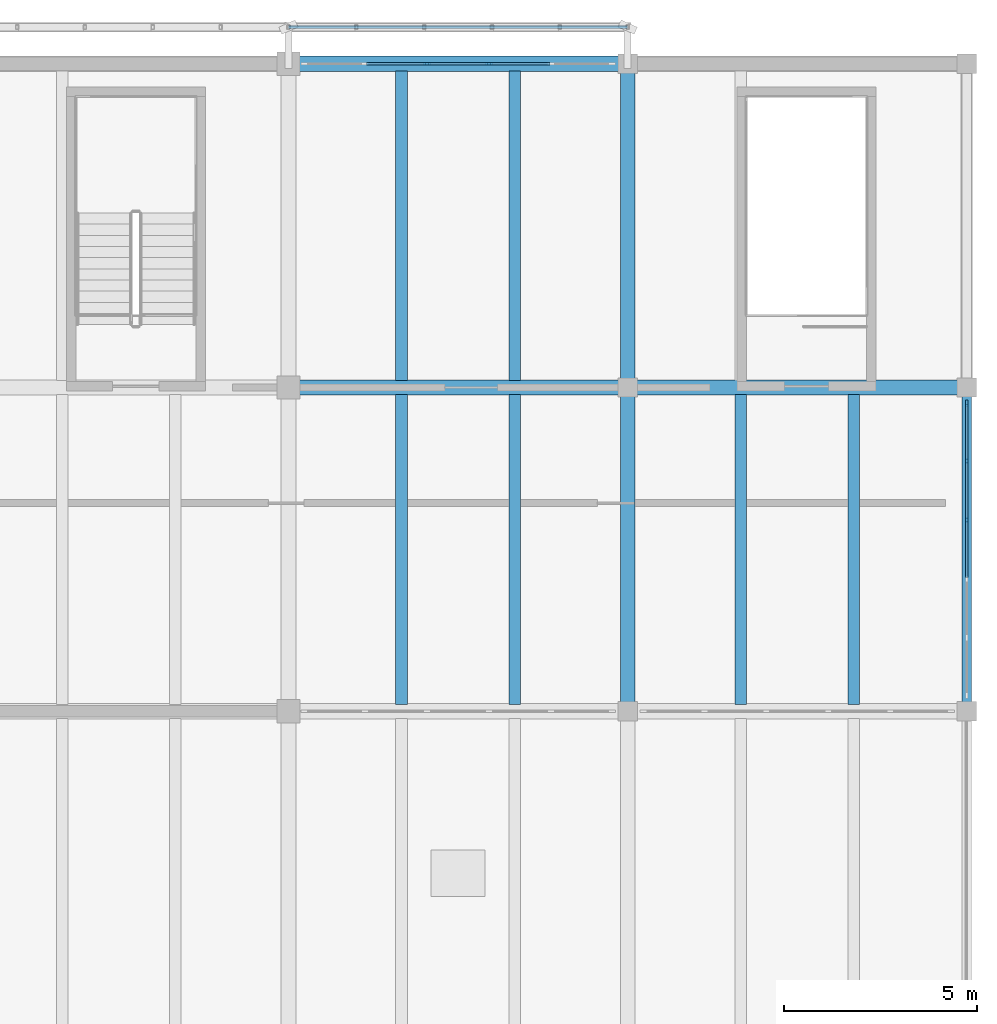
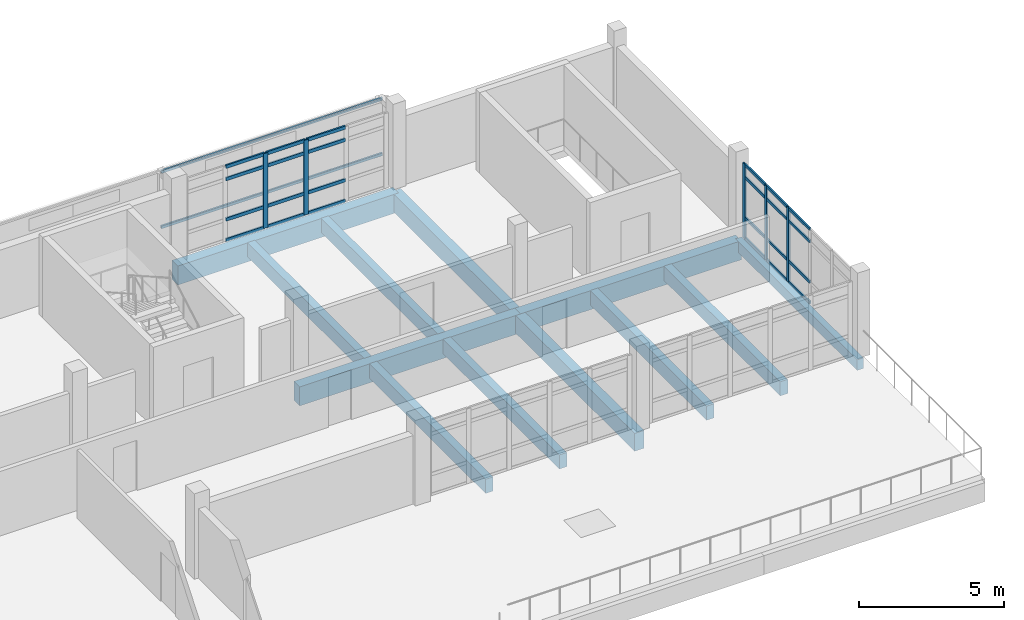
# One storey, part 34 of 50: 31 members, 12 beams, 2 elements without a shape of their own.
"""IFC4 building model written with IfcOpenShell, lengths in metres."""

from ifc_helpers import new_model, si_unit, direction, frame, origin, origin_2d, place, context, subcontext, project, spatial, rectangle, hollow_rectangle, extrude, material, material_profile, profile_set, type_object, element, aggregate, save


model = new_model("IFC4")

# Units and contexts
model_context = context("Model", 3, precision=1e-05, world=origin(), true_north=direction((0.0, 1.0)))
body_context = subcontext(model_context, "Body", "Model", "MODEL_VIEW")
ifc_project = project(units=[si_unit("LENGTHUNIT", "METRE"), si_unit("AREAUNIT", "SQUARE_METRE"), si_unit("VOLUMEUNIT", "CUBIC_METRE"), si_unit("PLANEANGLEUNIT", "RADIAN"), si_unit("MASSUNIT", "GRAM", prefix="KILO")], contexts=[model_context])

# Site, building, storey
site_placement = place(None, origin())
site = spatial("IfcSite", under=ifc_project, at=site_placement, CompositionType="ELEMENT")
building_placement = place(site_placement, origin())
building = spatial("IfcBuilding", under=site, at=building_placement, Name="Cinderway Yard Community Centre", CompositionType="ELEMENT")
storey_placement = place(building_placement, frame((0.0, 0.0, 12.89990234375)))
storey = spatial("IfcBuildingStorey", under=building, at=storey_placement, Name="L03", CompositionType="ELEMENT", Elevation=12.89990234375)

# Curtain wall, members
ifc_material_1 = material(Name="Aluminium 6063-T6", Category="aluminium")
curtain_wall_type_1 = type_object("IfcCurtainWallType", Name="ENV-CW-TYPE-32", PredefinedType="USERDEFINED", material=ifc_material_1)
curtain_wall_1_placement = place(storey_placement, origin())
curtain_wall_1 = element("IfcCurtainWall", 1, at=curtain_wall_1_placement, inside=storey, type_object=curtain_wall_type_1, Name="V4 East End Curtain Wall ENV-CW-L03-ST-0175", ObjectType="GLAZED CURTAIN WALL", PredefinedType="USERDEFINED")
ifc_material_profile_1 = material_profile(ifc_material_1, rectangle(XDim=0.06005859375, YDim=0.159912109375, at=origin_2d()), Name="Aluminium 6063-T6")
ifc_profile_set_1 = profile_set([ifc_material_profile_1], Name="Aluminium 6063-T6")
member_type_1 = type_object("IfcMemberType", Name="ENV-CW-MULL-150", PredefinedType="MULLION", material=ifc_profile_set_1)
member_1_placement = place(storey_placement, frame((136.800048828125, 103.364013671875, 0.0), z_axis=(0.0, 0.0, 1.0), x_axis=(-1.0, 0.0, 0.0)))
member_1 = element("IfcMember", 2, at=member_1_placement, type_object=member_type_1, Name="CW-32 mullion 4", PredefinedType="MULLION", context=body_context, shape_type="SweptSolid", body=[
    extrude(rectangle(XDim=0.06005859375, YDim=0.159912109375, at=origin_2d()), origin(), (0.0, 0.0, 1.0), 3.150146484375),
])
member_2_placement = place(storey_placement, frame((136.800048828125, 104.89208984375, 0.0), z_axis=(0.0, 0.0, 1.0), x_axis=(-1.0, 0.0, 0.0)))
member_2 = element("IfcMember", 3, at=member_2_placement, type_object=member_type_1, Name="CW-32 mullion 5", PredefinedType="MULLION", context=body_context, shape_type="SweptSolid", body=[
    extrude(rectangle(XDim=0.06005859375, YDim=0.159912109375, at=origin_2d()), origin(), (0.0, 0.0, 1.0), 3.150146484375),
])
member_3_placement = place(storey_placement, frame((136.800048828125, 106.389892578125, 0.0), z_axis=(0.0, 0.0, 1.0), x_axis=(-1.0, 0.0, 0.0)))
member_3 = element("IfcMember", 4, at=member_3_placement, type_object=member_type_1, Name="CW-32 mullion 6", PredefinedType="MULLION", context=body_context, shape_type="SweptSolid", body=[
    extrude(rectangle(XDim=0.06005859375, YDim=0.159912109375, at=origin_2d()), origin(), (0.0, 0.0, 1.0), 3.150146484375),
])

curtain_wall_type_2 = type_object("IfcCurtainWallType", Name="ENV-CW-TYPE-33", PredefinedType="USERDEFINED", material=ifc_material_1)
curtain_wall_2_placement = place(storey_placement, origin())
curtain_wall_2 = element("IfcCurtainWall", 5, at=curtain_wall_2_placement, inside=storey, type_object=curtain_wall_type_2, Name="V4 Street Curtain Wall ENV-CW-L03-HS-0171", ObjectType="GLAZED CURTAIN WALL", PredefinedType="USERDEFINED")
ifc_material_profile_2 = material_profile(ifc_material_1, rectangle(XDim=0.06494140625, YDim=0.179931640625, at=origin_2d()), Name="Aluminium 6063-T6")
ifc_profile_set_2 = profile_set([ifc_material_profile_2], Name="Aluminium 6063-T6")
member_type_2 = type_object("IfcMemberType", Name="ENV-CW-MULL-180", PredefinedType="MULLION", material=ifc_profile_set_2)
member_4_placement = place(storey_placement, frame((122.7958984375, 115.199951171875, 0.0), z_axis=(0.0, 0.0, 1.0), x_axis=(0.0, 1.0, 0.0)))
member_4 = element("IfcMember", 6, at=member_4_placement, type_object=member_type_2, Name="CW-33 mullion 3", PredefinedType="MULLION", context=body_context, shape_type="SweptSolid", body=[
    extrude(rectangle(XDim=0.06494140625, YDim=0.179931640625, at=origin_2d()), origin(), (0.0, 0.0, 1.0), 3.150146484375),
])
member_5_placement = place(storey_placement, frame((124.404052734375, 115.199951171875, 0.0), z_axis=(0.0, 0.0, 1.0), x_axis=(0.0, 1.0, 0.0)))
member_5 = element("IfcMember", 7, at=member_5_placement, type_object=member_type_2, Name="CW-33 mullion 4", PredefinedType="MULLION", context=body_context, shape_type="SweptSolid", body=[
    extrude(rectangle(XDim=0.06494140625, YDim=0.179931640625, at=origin_2d()), origin(), (0.0, 0.0, 1.0), 3.150146484375),
])

# Member
ifc_material_profile_3 = material_profile(ifc_material_1, rectangle(XDim=0.06005859375, YDim=0.1201171875, at=origin_2d()), Name="Aluminium 6063-T6")
ifc_profile_set_3 = profile_set([ifc_material_profile_3], Name="Aluminium 6063-T6")
member_type_3 = type_object("IfcMemberType", Name="ENV-CW-TRAN-110", PredefinedType="USERDEFINED", material=ifc_profile_set_3)
member_6_placement = place(storey_placement, frame((136.800048828125, 101.865966796875, 0.030029296875), z_axis=(0.0, 1.0, 0.0), x_axis=(-1.0, 0.0, 0.0)))
member_6 = element("IfcMember", 8, at=member_6_placement, type_object=member_type_3, Name="CW-32 transom 3.1", ObjectType="TRANSOM", PredefinedType="USERDEFINED", context=body_context, shape_type="SweptSolid", body=[
    extrude(rectangle(XDim=0.06005859375, YDim=0.1201171875, at=origin_2d()), origin(), (0.0, 0.0, 1.0), 1.468017578125),
])

member_7_placement = place(storey_placement, frame((136.800048828125, 101.865966796875, 0.900146484375), z_axis=(0.0, 1.0, 0.0), x_axis=(-1.0, 0.0, 0.0)))
member_7 = element("IfcMember", 9, at=member_7_placement, type_object=member_type_3, Name="CW-32 transom 3.2", ObjectType="TRANSOM", PredefinedType="USERDEFINED", context=body_context, shape_type="SweptSolid", body=[
    extrude(rectangle(XDim=0.06005859375, YDim=0.1201171875, at=origin_2d()), origin(), (0.0, 0.0, 1.0), 1.468017578125),
])

member_8_placement = place(storey_placement, frame((136.800048828125, 101.865966796875, 2.60009765625), z_axis=(0.0, 1.0, 0.0), x_axis=(-1.0, 0.0, 0.0)))
member_8 = element("IfcMember", 10, at=member_8_placement, type_object=member_type_3, Name="CW-32 transom 3.3", ObjectType="TRANSOM", PredefinedType="USERDEFINED", context=body_context, shape_type="SweptSolid", body=[
    extrude(rectangle(XDim=0.06005859375, YDim=0.1201171875, at=origin_2d()), origin(), (0.0, 0.0, 1.0), 1.468017578125),
])

member_9_placement = place(storey_placement, frame((136.800048828125, 101.865966796875, 3.1201171875), z_axis=(0.0, 1.0, 0.0), x_axis=(-1.0, 0.0, 0.0)))
member_9 = element("IfcMember", 11, at=member_9_placement, type_object=member_type_3, Name="CW-32 transom 3.4", ObjectType="TRANSOM", PredefinedType="USERDEFINED", context=body_context, shape_type="SweptSolid", body=[
    extrude(rectangle(XDim=0.06005859375, YDim=0.1201171875, at=origin_2d()), origin(), (0.0, 0.0, 1.0), 1.468017578125),
])

member_10_placement = place(storey_placement, frame((136.800048828125, 103.39404296875, 0.030029296875), z_axis=(0.0, 1.0, 0.0), x_axis=(-1.0, 0.0, 0.0)))
member_10 = element("IfcMember", 12, at=member_10_placement, type_object=member_type_3, Name="CW-32 transom 4.1", ObjectType="TRANSOM", PredefinedType="USERDEFINED", context=body_context, shape_type="SweptSolid", body=[
    extrude(rectangle(XDim=0.06005859375, YDim=0.1201171875, at=origin_2d()), origin(), (0.0, 0.0, 1.0), 1.468017578125),
])

member_11_placement = place(storey_placement, frame((136.800048828125, 103.39404296875, 0.900146484375), z_axis=(0.0, 1.0, 0.0), x_axis=(-1.0, 0.0, 0.0)))
member_11 = element("IfcMember", 13, at=member_11_placement, type_object=member_type_3, Name="CW-32 transom 4.2", ObjectType="TRANSOM", PredefinedType="USERDEFINED", context=body_context, shape_type="SweptSolid", body=[
    extrude(rectangle(XDim=0.06005859375, YDim=0.1201171875, at=origin_2d()), origin(), (0.0, 0.0, 1.0), 1.468017578125),
])

member_12_placement = place(storey_placement, frame((136.800048828125, 103.39404296875, 2.60009765625), z_axis=(0.0, 1.0, 0.0), x_axis=(-1.0, 0.0, 0.0)))
member_12 = element("IfcMember", 14, at=member_12_placement, type_object=member_type_3, Name="CW-32 transom 4.3", ObjectType="TRANSOM", PredefinedType="USERDEFINED", context=body_context, shape_type="SweptSolid", body=[
    extrude(rectangle(XDim=0.06005859375, YDim=0.1201171875, at=origin_2d()), origin(), (0.0, 0.0, 1.0), 1.468017578125),
])

member_13_placement = place(storey_placement, frame((136.800048828125, 103.39404296875, 3.1201171875), z_axis=(0.0, 1.0, 0.0), x_axis=(-1.0, 0.0, 0.0)))
member_13 = element("IfcMember", 15, at=member_13_placement, type_object=member_type_3, Name="CW-32 transom 4.4", ObjectType="TRANSOM", PredefinedType="USERDEFINED", context=body_context, shape_type="SweptSolid", body=[
    extrude(rectangle(XDim=0.06005859375, YDim=0.1201171875, at=origin_2d()), origin(), (0.0, 0.0, 1.0), 1.468017578125),
])

member_14_placement = place(storey_placement, frame((136.800048828125, 104.922119140625, 0.030029296875), z_axis=(0.0, 1.0, 0.0), x_axis=(-1.0, 0.0, 0.0)))
member_14 = element("IfcMember", 16, at=member_14_placement, type_object=member_type_3, Name="CW-32 transom 5.1", ObjectType="TRANSOM", PredefinedType="USERDEFINED", context=body_context, shape_type="SweptSolid", body=[
    extrude(rectangle(XDim=0.06005859375, YDim=0.1201171875, at=origin_2d()), origin(), (0.0, 0.0, 1.0), 1.43798828125),
])

member_15_placement = place(storey_placement, frame((136.800048828125, 104.922119140625, 0.900146484375), z_axis=(0.0, 1.0, 0.0), x_axis=(-1.0, 0.0, 0.0)))
member_15 = element("IfcMember", 17, at=member_15_placement, type_object=member_type_3, Name="CW-32 transom 5.2", ObjectType="TRANSOM", PredefinedType="USERDEFINED", context=body_context, shape_type="SweptSolid", body=[
    extrude(rectangle(XDim=0.06005859375, YDim=0.1201171875, at=origin_2d()), origin(), (0.0, 0.0, 1.0), 1.43798828125),
])

member_16_placement = place(storey_placement, frame((136.800048828125, 104.922119140625, 2.60009765625), z_axis=(0.0, 1.0, 0.0), x_axis=(-1.0, 0.0, 0.0)))
member_16 = element("IfcMember", 18, at=member_16_placement, type_object=member_type_3, Name="CW-32 transom 5.3", ObjectType="TRANSOM", PredefinedType="USERDEFINED", context=body_context, shape_type="SweptSolid", body=[
    extrude(rectangle(XDim=0.06005859375, YDim=0.1201171875, at=origin_2d()), origin(), (0.0, 0.0, 1.0), 1.43798828125),
])

member_17_placement = place(storey_placement, frame((136.800048828125, 104.922119140625, 3.1201171875), z_axis=(0.0, 1.0, 0.0), x_axis=(-1.0, 0.0, 0.0)))
member_17 = element("IfcMember", 19, at=member_17_placement, type_object=member_type_3, Name="CW-32 transom 5.4", ObjectType="TRANSOM", PredefinedType="USERDEFINED", context=body_context, shape_type="SweptSolid", body=[
    extrude(rectangle(XDim=0.06005859375, YDim=0.1201171875, at=origin_2d()), origin(), (0.0, 0.0, 1.0), 1.43798828125),
])

aggregate(curtain_wall_1, [member_1, member_2, member_3, member_6, member_7, member_8, member_9, member_10, member_11, member_12, member_13, member_14, member_15, member_16, member_17])

ifc_material_profile_4 = material_profile(ifc_material_1, rectangle(XDim=0.06494140625, YDim=0.139892578125, at=origin_2d()), Name="Aluminium 6063-T6")
ifc_profile_set_4 = profile_set([ifc_material_profile_4], Name="Aluminium 6063-T6")
member_type_4 = type_object("IfcMemberType", Name="ENV-CW-TRAN-140", PredefinedType="USERDEFINED", material=ifc_profile_set_4)
member_18_placement = place(storey_placement, frame((121.218017578125, 115.199951171875, 0.030029296875), z_axis=(1.0, 0.0, 0.0), x_axis=(0.0, 1.0, 0.0)))
member_18 = element("IfcMember", 20, at=member_18_placement, type_object=member_type_4, Name="CW-33 transom 2.1", ObjectType="TRANSOM", PredefinedType="USERDEFINED", context=body_context, shape_type="SweptSolid", body=[
    extrude(rectangle(XDim=0.06494140625, YDim=0.139892578125, at=origin_2d()), origin(), (0.0, 0.0, 1.0), 1.548095703125),
])

member_19_placement = place(storey_placement, frame((121.218017578125, 115.199951171875, 0.900146484375), z_axis=(1.0, 0.0, 0.0), x_axis=(0.0, 1.0, 0.0)))
member_19 = element("IfcMember", 21, at=member_19_placement, type_object=member_type_4, Name="CW-33 transom 2.2", ObjectType="TRANSOM", PredefinedType="USERDEFINED", context=body_context, shape_type="SweptSolid", body=[
    extrude(rectangle(XDim=0.06494140625, YDim=0.139892578125, at=origin_2d()), origin(), (0.0, 0.0, 1.0), 1.548095703125),
])

member_20_placement = place(storey_placement, frame((121.218017578125, 115.199951171875, 2.60009765625), z_axis=(1.0, 0.0, 0.0), x_axis=(0.0, 1.0, 0.0)))
member_20 = element("IfcMember", 22, at=member_20_placement, type_object=member_type_4, Name="CW-33 transom 2.3", ObjectType="TRANSOM", PredefinedType="USERDEFINED", context=body_context, shape_type="SweptSolid", body=[
    extrude(rectangle(XDim=0.06494140625, YDim=0.139892578125, at=origin_2d()), origin(), (0.0, 0.0, 1.0), 1.548095703125),
])

member_21_placement = place(storey_placement, frame((121.218017578125, 115.199951171875, 3.1201171875), z_axis=(1.0, 0.0, 0.0), x_axis=(0.0, 1.0, 0.0)))
member_21 = element("IfcMember", 23, at=member_21_placement, type_object=member_type_4, Name="CW-33 transom 2.4", ObjectType="TRANSOM", PredefinedType="USERDEFINED", context=body_context, shape_type="SweptSolid", body=[
    extrude(rectangle(XDim=0.06494140625, YDim=0.139892578125, at=origin_2d()), origin(), (0.0, 0.0, 1.0), 1.548095703125),
])

member_22_placement = place(storey_placement, frame((122.825927734375, 115.199951171875, 0.030029296875), z_axis=(1.0, 0.0, 0.0), x_axis=(0.0, 1.0, 0.0)))
member_22 = element("IfcMember", 24, at=member_22_placement, type_object=member_type_4, Name="CW-33 transom 3.1", ObjectType="TRANSOM", PredefinedType="USERDEFINED", context=body_context, shape_type="SweptSolid", body=[
    extrude(rectangle(XDim=0.06494140625, YDim=0.139892578125, at=origin_2d()), origin(), (0.0, 0.0, 1.0), 1.548095703125),
])

member_23_placement = place(storey_placement, frame((122.825927734375, 115.199951171875, 0.900146484375), z_axis=(1.0, 0.0, 0.0), x_axis=(0.0, 1.0, 0.0)))
member_23 = element("IfcMember", 25, at=member_23_placement, type_object=member_type_4, Name="CW-33 transom 3.2", ObjectType="TRANSOM", PredefinedType="USERDEFINED", context=body_context, shape_type="SweptSolid", body=[
    extrude(rectangle(XDim=0.06494140625, YDim=0.139892578125, at=origin_2d()), origin(), (0.0, 0.0, 1.0), 1.548095703125),
])

member_24_placement = place(storey_placement, frame((122.825927734375, 115.199951171875, 2.60009765625), z_axis=(1.0, 0.0, 0.0), x_axis=(0.0, 1.0, 0.0)))
member_24 = element("IfcMember", 26, at=member_24_placement, type_object=member_type_4, Name="CW-33 transom 3.3", ObjectType="TRANSOM", PredefinedType="USERDEFINED", context=body_context, shape_type="SweptSolid", body=[
    extrude(rectangle(XDim=0.06494140625, YDim=0.139892578125, at=origin_2d()), origin(), (0.0, 0.0, 1.0), 1.548095703125),
])

member_25_placement = place(storey_placement, frame((122.825927734375, 115.199951171875, 3.1201171875), z_axis=(1.0, 0.0, 0.0), x_axis=(0.0, 1.0, 0.0)))
member_25 = element("IfcMember", 27, at=member_25_placement, type_object=member_type_4, Name="CW-33 transom 3.4", ObjectType="TRANSOM", PredefinedType="USERDEFINED", context=body_context, shape_type="SweptSolid", body=[
    extrude(rectangle(XDim=0.06494140625, YDim=0.139892578125, at=origin_2d()), origin(), (0.0, 0.0, 1.0), 1.548095703125),
])

member_26_placement = place(storey_placement, frame((124.43408203125, 115.199951171875, 0.030029296875), z_axis=(1.0, 0.0, 0.0), x_axis=(0.0, 1.0, 0.0)))
member_26 = element("IfcMember", 28, at=member_26_placement, type_object=member_type_4, Name="CW-33 transom 4.1", ObjectType="TRANSOM", PredefinedType="USERDEFINED", context=body_context, shape_type="SweptSolid", body=[
    extrude(rectangle(XDim=0.06494140625, YDim=0.139892578125, at=origin_2d()), origin(), (0.0, 0.0, 1.0), 1.5478515625),
])

member_27_placement = place(storey_placement, frame((124.43408203125, 115.199951171875, 0.900146484375), z_axis=(1.0, 0.0, 0.0), x_axis=(0.0, 1.0, 0.0)))
member_27 = element("IfcMember", 29, at=member_27_placement, type_object=member_type_4, Name="CW-33 transom 4.2", ObjectType="TRANSOM", PredefinedType="USERDEFINED", context=body_context, shape_type="SweptSolid", body=[
    extrude(rectangle(XDim=0.06494140625, YDim=0.139892578125, at=origin_2d()), origin(), (0.0, 0.0, 1.0), 1.5478515625),
])

member_28_placement = place(storey_placement, frame((124.43408203125, 115.199951171875, 2.60009765625), z_axis=(1.0, 0.0, 0.0), x_axis=(0.0, 1.0, 0.0)))
member_28 = element("IfcMember", 30, at=member_28_placement, type_object=member_type_4, Name="CW-33 transom 4.3", ObjectType="TRANSOM", PredefinedType="USERDEFINED", context=body_context, shape_type="SweptSolid", body=[
    extrude(rectangle(XDim=0.06494140625, YDim=0.139892578125, at=origin_2d()), origin(), (0.0, 0.0, 1.0), 1.5478515625),
])

member_29_placement = place(storey_placement, frame((124.43408203125, 115.199951171875, 3.1201171875), z_axis=(1.0, 0.0, 0.0), x_axis=(0.0, 1.0, 0.0)))
member_29 = element("IfcMember", 31, at=member_29_placement, type_object=member_type_4, Name="CW-33 transom 4.4", ObjectType="TRANSOM", PredefinedType="USERDEFINED", context=body_context, shape_type="SweptSolid", body=[
    extrude(rectangle(XDim=0.06494140625, YDim=0.139892578125, at=origin_2d()), origin(), (0.0, 0.0, 1.0), 1.5478515625),
])

aggregate(curtain_wall_2, [member_4, member_5, member_18, member_19, member_20, member_21, member_22, member_23, member_24, member_25, member_26, member_27, member_28, member_29])

# Members
ifc_material_2 = material(Name="Steel S355", Category="steel")
ifc_material_profile_5 = material_profile(ifc_material_2, hollow_rectangle(XDim=0.080078125, YDim=0.1201171875, WallThickness=0.00634765625, InnerFilletRadius=0.00634765625, OuterFilletRadius=0.0126953125, at=origin_2d()), Name="Steel S355")
ifc_profile_set_5 = profile_set([ifc_material_profile_5], Name="Steel S355")
member_type_5 = type_object("IfcMemberType", Name="ENV-MEM-SCREEN-RAIL-120", PredefinedType="STRINGER", material=ifc_profile_set_5)
for number, where, z_axis, x_axis, name in (
    (32, (119.199951171875, 116.14990234375, 0.710205078125), (1.0, 0.0, 0.0), (0.0, 1.0, 0.0), "Screen support rail 0252-BOT"),
    (33, (119.199951171875, 116.14990234375, 3.0400390625), (1.0, 0.0, 0.0), (0.0, 1.0, 0.0), "Screen support rail 0253-TOP"),
):
    element("IfcMember", number, at=place(storey_placement, frame(where, z_axis=z_axis, x_axis=x_axis)), inside=storey, type_object=member_type_5, Name=name, PredefinedType="STRINGER", context=body_context, shape_type="SweptSolid", body=[
        extrude(hollow_rectangle(XDim=0.080078125, YDim=0.1201171875, WallThickness=0.00634765625, InnerFilletRadius=0.00634765625, OuterFilletRadius=0.0126953125, at=origin_2d()), origin(), (0.0, 0.0, 1.0), 8.800048828125),
    ])

# Beams
ifc_material_3 = material(Name="Concrete C40/50", Category="concrete")
ifc_material_profile_6 = material_profile(ifc_material_3, rectangle(XDim=0.25, YDim=0.449951171875, at=origin_2d()), Name="Concrete C40/50")
ifc_profile_set_6 = profile_set([ifc_material_profile_6], Name="Concrete C40/50")
beam_type_1 = type_object("IfcBeamType", Name="STR-BM-RC250X450", PredefinedType="SPANDREL", material=ifc_profile_set_6)
beam_1_placement = place(storey_placement, frame((136.800048828125, 98.39990234375, -0.46484375), z_axis=(0.0, 1.0, 0.0), x_axis=(-1.0, 0.0, 0.0)))
element("IfcBeam", 34, at=beam_1_placement, inside=storey, type_object=beam_type_1, Name="Transverse girder STR-BM-L03-SP02-0748", PredefinedType="SPANDREL", context=body_context, shape_type="SweptSolid", body=[
    extrude(rectangle(XDim=0.25, YDim=0.449951171875, at=origin_2d()), origin(), (0.0, 0.0, 1.0), 8.400146484375),
])
ifc_material_4 = material(Name="Concrete C35/45", Category="concrete")
ifc_material_profile_7 = material_profile(ifc_material_4, rectangle(XDim=0.300048828125, YDim=0.60009765625, at=origin_2d()), Name="Concrete C35/45")
ifc_profile_set_7 = profile_set([ifc_material_profile_7], Name="Concrete C35/45")
beam_type_2 = type_object("IfcBeamType", Name="STR-BM-RC300X600", PredefinedType="JOIST", material=ifc_profile_set_7)
for number, where, z_axis, x_axis, name in (
    (35, (122.133056640625, 98.58203125, -0.539794921875), (0.0, 1.0, 0.0), (-1.0, 0.0, 0.0), "Secondary joist STR-BM-L03-BJ02-0801"),
    (36, (125.06689453125, 98.58203125, -0.539794921875), (0.0, 1.0, 0.0), (-1.0, 0.0, 0.0), "Secondary joist STR-BM-L03-BJ02-0802"),
):
    element("IfcBeam", number, at=place(storey_placement, frame(where, z_axis=z_axis, x_axis=x_axis)), inside=storey, type_object=beam_type_2, Name=name, PredefinedType="JOIST", context=body_context, shape_type="SweptSolid", body=[
        extrude(rectangle(XDim=0.300048828125, YDim=0.60009765625, at=origin_2d()), origin(), (0.0, 0.0, 1.0), 8.035888671875),
    ])
for number, where, z_axis, x_axis, name in (
    (37, (122.133056640625, 106.98193359375, -0.539794921875), (0.0, 1.0, 0.0), (-1.0, 0.0, 0.0), "Secondary joist STR-BM-L03-BJ02-0803"),
    (38, (125.06689453125, 106.98193359375, -0.539794921875), (0.0, 1.0, 0.0), (-1.0, 0.0, 0.0), "Secondary joist STR-BM-L03-BJ02-0804"),
):
    element("IfcBeam", number, at=place(storey_placement, frame(where, z_axis=z_axis, x_axis=x_axis)), inside=storey, type_object=beam_type_2, Name=name, PredefinedType="JOIST", context=body_context, shape_type="SweptSolid", body=[
        extrude(rectangle(XDim=0.300048828125, YDim=0.60009765625, at=origin_2d()), origin(), (0.0, 0.0, 1.0), 8.0361328125),
    ])
for number, where, z_axis, x_axis, name in (
    (39, (130.93310546875, 98.58203125, -0.539794921875), (0.0, 1.0, 0.0), (-1.0, 0.0, 0.0), "Secondary joist STR-BM-L03-BJ02-0807"),
    (40, (133.866943359375, 98.58203125, -0.539794921875), (0.0, 1.0, 0.0), (-1.0, 0.0, 0.0), "Secondary joist STR-BM-L03-BJ02-0808"),
):
    element("IfcBeam", number, at=place(storey_placement, frame(where, z_axis=z_axis, x_axis=x_axis)), inside=storey, type_object=beam_type_2, Name=name, PredefinedType="JOIST", context=body_context, shape_type="SweptSolid", body=[
        extrude(rectangle(XDim=0.300048828125, YDim=0.60009765625, at=origin_2d()), origin(), (0.0, 0.0, 1.0), 8.035888671875),
    ])
ifc_material_profile_8 = material_profile(ifc_material_4, rectangle(XDim=0.3798828125, YDim=0.75, at=origin_2d()), Name="Concrete C35/45")
ifc_profile_set_8 = profile_set([ifc_material_profile_8], Name="Concrete C35/45")
beam_type_3 = type_object("IfcBeamType", Name="STR-BM-RC380X750", PredefinedType="BEAM", material=ifc_profile_set_8)
beam_2_placement = place(storey_placement, frame((128.0, 98.39990234375, -0.614990234375), z_axis=(0.0, 1.0, 0.0), x_axis=(-1.0, 0.0, 0.0)))
element("IfcBeam", 41, at=beam_2_placement, inside=storey, type_object=beam_type_3, Name="Transverse girder STR-BM-L03-BG06-0745", PredefinedType="BEAM", context=body_context, shape_type="SweptSolid", body=[
    extrude(rectangle(XDim=0.3798828125, YDim=0.75, at=origin_2d()), origin(), (0.0, 0.0, 1.0), 8.400146484375),
])
beam_3_placement = place(storey_placement, frame((128.0, 106.800048828125, -0.614990234375), z_axis=(0.0, 1.0, 0.0), x_axis=(-1.0, 0.0, 0.0)))
element("IfcBeam", 42, at=beam_3_placement, inside=storey, type_object=beam_type_3, Name="Transverse girder STR-BM-L03-BG06-0746", PredefinedType="BEAM", context=body_context, shape_type="SweptSolid", body=[
    extrude(rectangle(XDim=0.3798828125, YDim=0.75, at=origin_2d()), origin(), (0.0, 0.0, 1.0), 8.39990234375),
])
ifc_material_profile_9 = material_profile(ifc_material_3, rectangle(XDim=0.39990234375, YDim=0.800048828125, at=origin_2d()), Name="Concrete C40/50")
ifc_profile_set_9 = profile_set([ifc_material_profile_9], Name="Concrete C40/50")
beam_type_4 = type_object("IfcBeamType", Name="STR-BM-RC400X800", PredefinedType="BEAM", material=ifc_profile_set_9)
for number, where, z_axis, x_axis, name in (
    (43, (119.199951171875, 106.800048828125, -0.639892578125), (1.0, 0.0, 0.0), (0.0, 1.0, 0.0), "Primary girder STR-BM-L03-BG05-0701"),
    (44, (128.0, 106.800048828125, -0.639892578125), (1.0, 0.0, 0.0), (0.0, 1.0, 0.0), "Primary girder STR-BM-L03-BG05-0702"),
    (45, (119.199951171875, 115.199951171875, -0.639892578125), (1.0, 0.0, 0.0), (0.0, 1.0, 0.0), "Primary girder STR-BM-L03-BG05-0712"),
):
    element("IfcBeam", number, at=place(storey_placement, frame(where, z_axis=z_axis, x_axis=x_axis)), inside=storey, type_object=beam_type_4, Name=name, PredefinedType="BEAM", context=body_context, shape_type="SweptSolid", body=[
        extrude(rectangle(XDim=0.39990234375, YDim=0.800048828125, at=origin_2d()), origin(), (0.0, 0.0, 1.0), 8.800048828125),
    ])

save(model, "model.ifc")
